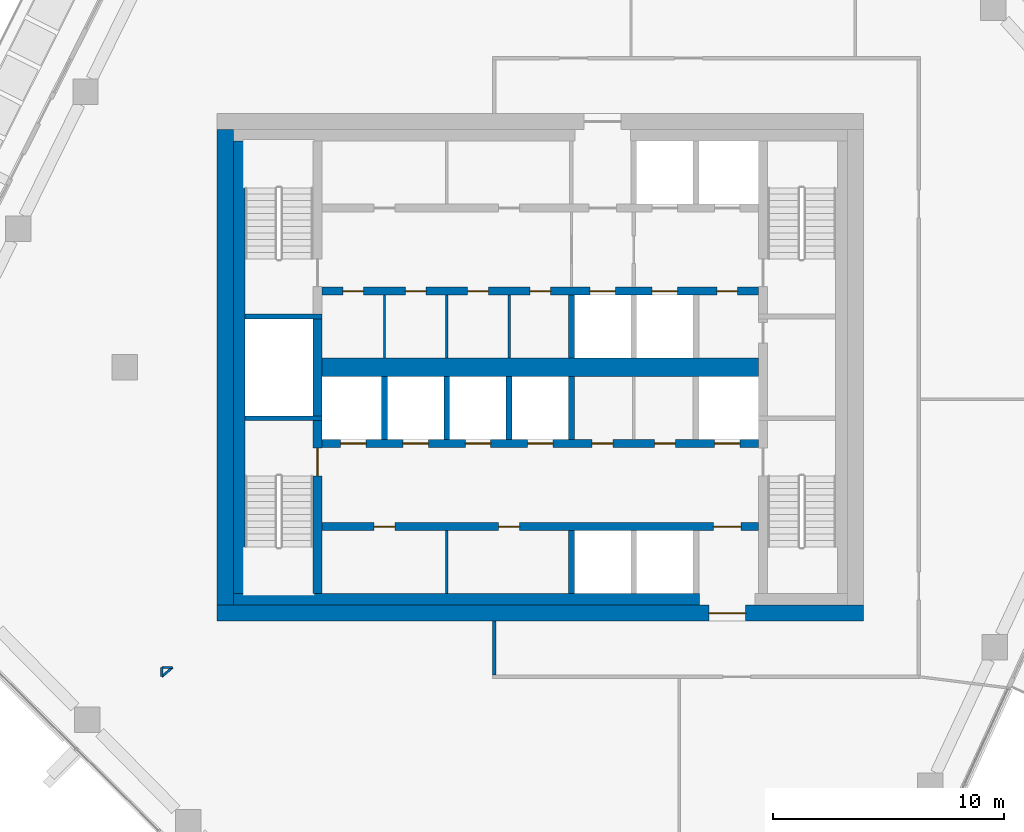
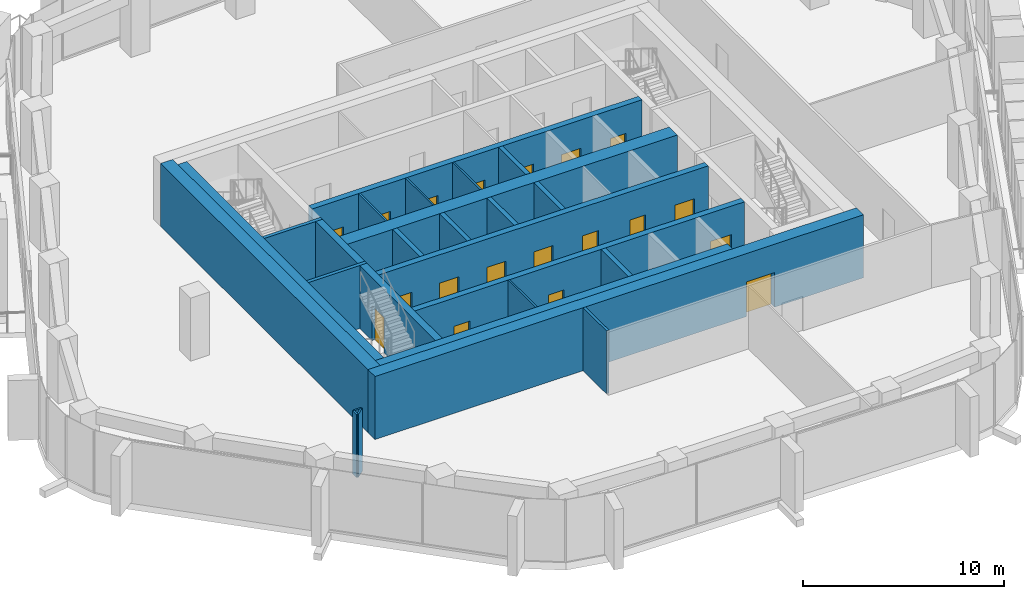
# One storey, part 12 of 22: 26 walls, 19 doors, 19 openings.
"""IFC4 building model written with IfcOpenShell, lengths in metres."""

from ifc_helpers import new_model, si_unit, direction, frame, frame_2d, origin, place, context, subcontext, project, spatial, rectangle, extrude, material, layer, layer_set, type_object, element, fill, save


model = new_model("IFC4")

# Units and contexts
model_context = context("Model", 3, precision=1e-05, world=origin(), true_north=direction((0.0, 1.0)))
body_context = subcontext(model_context, "Body", "Model", "MODEL_VIEW")
ifc_project = project(units=[si_unit("LENGTHUNIT", "METRE"), si_unit("AREAUNIT", "SQUARE_METRE"), si_unit("VOLUMEUNIT", "CUBIC_METRE"), si_unit("PLANEANGLEUNIT", "RADIAN"), si_unit("MASSUNIT", "GRAM", prefix="KILO")], contexts=[model_context])

# Site, building, storey
site_placement = place(None, origin())
site = spatial("IfcSite", under=ifc_project, at=site_placement, CompositionType="ELEMENT")
building_placement = place(site_placement, origin())
building = spatial("IfcBuilding", under=site, at=building_placement, Name="Dongbaek Canopy Tower", CompositionType="ELEMENT")
storey_placement = place(building_placement, frame((0.0, 0.0, 237.0)))
storey = spatial("IfcBuildingStorey", under=building, at=storey_placement, Name="L49", CompositionType="ELEMENT", Elevation=237.0)

# Wall
ifc_material_1 = material(Name="Concrete C60/75", Category="concrete")
ifc_layer_1 = layer(ifc_material_1, 0.800048828125)
ifc_layer_set_1 = layer_set([ifc_layer_1], Name="Core central wall 800 Concrete C60/75")
wall_type_1 = type_object("IfcWallType", Name="Core central wall 800 Concrete C60/75", PredefinedType="SHEAR", material=ifc_layer_set_1)
wall_1_placement = place(storey_placement, frame((-9.449951171875, 0.0, 0.0), z_axis=(0.0, 0.0, 1.0), x_axis=(1.0, 0.0, 0.0)))
element("IfcWall", 1, at=wall_1_placement, inside=storey, type_object=wall_type_1, Name="Core wall", PredefinedType="SHEAR", context=body_context, shape_type="SweptSolid", body=[
    extrude(rectangle(XDim=18.89990234375, YDim=0.800048828125, at=frame_2d((9.449951171875, 0.0))), origin(), (0.0, 0.0, 1.0), 3.820068359375),
])

# Wall, openings, doors
ifc_material_2 = material(Name="Concrete C60/75", Category="concrete")
ifc_layer_2 = layer(ifc_material_2, 0.35009765625)
ifc_layer_set_2 = layer_set([ifc_layer_2], Name="Core lobby wall 350 Concrete C60/75")
wall_type_2 = type_object("IfcWallType", Name="Core lobby wall 350 Concrete C60/75", PredefinedType="SHEAR", material=ifc_layer_set_2)
wall_2_placement = place(storey_placement, frame((9.449951171875, 3.300048828125, 0.0), z_axis=(0.0, 0.0, 1.0), x_axis=(-1.0, 0.0, 0.0)))
wall_2 = element("IfcWall", 2, at=wall_2_placement, inside=storey, type_object=wall_type_2, Name="Core wall", PredefinedType="SHEAR", context=body_context, shape_type="SweptSolid", body=[
    extrude(rectangle(XDim=18.89990234375, YDim=0.35009765625, at=frame_2d((9.449951171875, 0.0))), origin(), (0.0, 0.0, 1.0), 3.820068359375),
])
opening_1_placement = place(wall_2_placement, frame((6.199951171875, 0.0, 0.0)))
opening_1 = element("IfcOpeningElement", 3, at=opening_1_placement, cuts=wall_2, Name="Opening L49-D011", PredefinedType="OPENING", context=body_context, shape_type="SweptSolid", body=[
    extrude(rectangle(XDim=1.10009765625, YDim=2.10009765625, at=frame_2d((0.550048828125, 1.050048828125))), frame((0.0, 0.18505859375, 0.0), z_axis=(0.0, -1.0, 0.0), x_axis=(1.0, 0.0, 0.0)), (0.0, 0.0, 1.0), 0.3701171875),
])
opening_2_placement = place(wall_2_placement, frame((3.5, 0.0, 0.0)))
opening_2 = element("IfcOpeningElement", 4, at=opening_2_placement, cuts=wall_2, Name="Opening L49-D012", PredefinedType="OPENING", context=body_context, shape_type="SweptSolid", body=[
    extrude(rectangle(XDim=1.10009765625, YDim=2.10009765625, at=frame_2d((0.550048828125, 1.050048828125))), frame((0.0, 0.18505859375, 0.0), z_axis=(0.0, -1.0, 0.0), x_axis=(1.0, 0.0, 0.0)), (0.0, 0.0, 1.0), 0.3701171875),
])
opening_3_placement = place(wall_2_placement, frame((0.89990234375, 0.0, 0.0)))
opening_3 = element("IfcOpeningElement", 5, at=opening_3_placement, cuts=wall_2, Name="Opening L49-D013", PredefinedType="OPENING", context=body_context, shape_type="SweptSolid", body=[
    extrude(rectangle(XDim=0.89990234375, YDim=2.10009765625, at=frame_2d((0.449951171875, 1.050048828125))), frame((0.0, 0.18505859375, 0.0), z_axis=(0.0, -1.0, 0.0), x_axis=(1.0, 0.0, 0.0)), (0.0, 0.0, 1.0), 0.3701171875),
])
opening_4_placement = place(wall_2_placement, frame((17.10009765625, 0.0, 0.0)))
opening_4 = element("IfcOpeningElement", 6, at=opening_4_placement, cuts=wall_2, Name="Opening L49-D023", PredefinedType="OPENING", context=body_context, shape_type="SweptSolid", body=[
    extrude(rectangle(XDim=0.89990234375, YDim=2.10009765625, at=frame_2d((0.449951171875, 1.050048828125))), frame((0.0, 0.18505859375, 0.0), z_axis=(0.0, -1.0, 0.0), x_axis=(1.0, 0.0, 0.0)), (0.0, 0.0, 1.0), 0.3701171875),
])
opening_5_placement = place(wall_2_placement, frame((14.39990234375, 0.0, 0.0)))
opening_5 = element("IfcOpeningElement", 7, at=opening_5_placement, cuts=wall_2, Name="Opening L49-D024", PredefinedType="OPENING", context=body_context, shape_type="SweptSolid", body=[
    extrude(rectangle(XDim=0.89990234375, YDim=2.10009765625, at=frame_2d((0.449951171875, 1.050048828125))), frame((0.0, 0.18505859375, 0.0), z_axis=(0.0, -1.0, 0.0), x_axis=(1.0, 0.0, 0.0)), (0.0, 0.0, 1.0), 0.3701171875),
])
opening_6_placement = place(wall_2_placement, frame((11.699951171875, 0.0, 0.0)))
opening_6 = element("IfcOpeningElement", 8, at=opening_6_placement, cuts=wall_2, Name="Opening L49-D025", PredefinedType="OPENING", context=body_context, shape_type="SweptSolid", body=[
    extrude(rectangle(XDim=0.89990234375, YDim=2.10009765625, at=frame_2d((0.449951171875, 1.050048828125))), frame((0.0, 0.18505859375, 0.0), z_axis=(0.0, -1.0, 0.0), x_axis=(1.0, 0.0, 0.0)), (0.0, 0.0, 1.0), 0.3701171875),
])
opening_7_placement = place(wall_2_placement, frame((9.0, 0.0, 0.0)))
opening_7 = element("IfcOpeningElement", 9, at=opening_7_placement, cuts=wall_2, Name="Opening L49-D026", PredefinedType="OPENING", context=body_context, shape_type="SweptSolid", body=[
    extrude(rectangle(XDim=0.89990234375, YDim=2.10009765625, at=frame_2d((0.449951171875, 1.050048828125))), frame((0.0, 0.18505859375, 0.0), z_axis=(0.0, -1.0, 0.0), x_axis=(1.0, 0.0, 0.0)), (0.0, 0.0, 1.0), 0.3701171875),
])
ifc_material_3 = material(Name="Steel", Category="steel")
door_type_1 = type_object("IfcDoorType", Name="Core room door 900 x 2100", OperationType="SINGLE_SWING_LEFT", PredefinedType="DOOR", material=ifc_material_3)
door_1_placement = place(opening_3_placement, origin())
door_1 = element("IfcDoor", 10, at=door_1_placement, inside=storey, type_object=door_type_1, Name="Door L49-D013", OperationType="SINGLE_SWING_LEFT", OverallHeight=2.10009765625, OverallWidth=0.89990234375, PredefinedType="DOOR", context=body_context, shape_type="SweptSolid", body=[
    extrude(rectangle(XDim=0.89990234375, YDim=2.10009765625, at=frame_2d((0.449951171875, 1.050048828125))), frame((0.0, 0.02490234375, 0.0), z_axis=(0.0, -1.0, 0.0), x_axis=(1.0, 0.0, 0.0)), (0.0, 0.0, 1.0), 0.050048828125),
])
fill(opening_3, door_1)
door_2_placement = place(opening_4_placement, origin())
door_2 = element("IfcDoor", 11, at=door_2_placement, inside=storey, type_object=door_type_1, Name="Door L49-D023", OperationType="SINGLE_SWING_RIGHT", OverallHeight=2.10009765625, OverallWidth=0.89990234375, PredefinedType="DOOR", context=body_context, shape_type="SweptSolid", body=[
    extrude(rectangle(XDim=0.89990234375, YDim=2.10009765625, at=frame_2d((0.449951171875, 1.050048828125))), frame((0.0, 0.02490234375, 0.0), z_axis=(0.0, -1.0, 0.0), x_axis=(1.0, 0.0, 0.0)), (0.0, 0.0, 1.0), 0.050048828125),
])
fill(opening_4, door_2)
door_3_placement = place(opening_5_placement, origin())
door_3 = element("IfcDoor", 12, at=door_3_placement, inside=storey, type_object=door_type_1, Name="Door L49-D024", OperationType="SINGLE_SWING_LEFT", OverallHeight=2.10009765625, OverallWidth=0.89990234375, PredefinedType="DOOR", context=body_context, shape_type="SweptSolid", body=[
    extrude(rectangle(XDim=0.89990234375, YDim=2.10009765625, at=frame_2d((0.449951171875, 1.050048828125))), frame((0.0, 0.02490234375, 0.0), z_axis=(0.0, -1.0, 0.0), x_axis=(1.0, 0.0, 0.0)), (0.0, 0.0, 1.0), 0.050048828125),
])
fill(opening_5, door_3)
door_4_placement = place(opening_6_placement, origin())
door_4 = element("IfcDoor", 13, at=door_4_placement, inside=storey, type_object=door_type_1, Name="Door L49-D025", OperationType="SINGLE_SWING_RIGHT", OverallHeight=2.10009765625, OverallWidth=0.89990234375, PredefinedType="DOOR", context=body_context, shape_type="SweptSolid", body=[
    extrude(rectangle(XDim=0.89990234375, YDim=2.10009765625, at=frame_2d((0.449951171875, 1.050048828125))), frame((0.0, 0.02490234375, 0.0), z_axis=(0.0, -1.0, 0.0), x_axis=(1.0, 0.0, 0.0)), (0.0, 0.0, 1.0), 0.050048828125),
])
fill(opening_6, door_4)
door_5_placement = place(opening_7_placement, origin())
door_5 = element("IfcDoor", 14, at=door_5_placement, inside=storey, type_object=door_type_1, Name="Door L49-D026", OperationType="SINGLE_SWING_LEFT", OverallHeight=2.10009765625, OverallWidth=0.89990234375, PredefinedType="DOOR", context=body_context, shape_type="SweptSolid", body=[
    extrude(rectangle(XDim=0.89990234375, YDim=2.10009765625, at=frame_2d((0.449951171875, 1.050048828125))), frame((0.0, 0.02490234375, 0.0), z_axis=(0.0, -1.0, 0.0), x_axis=(1.0, 0.0, 0.0)), (0.0, 0.0, 1.0), 0.050048828125),
])
fill(opening_7, door_5)
ifc_material_4 = material(Name="Stainless steel", Category="steel")
door_type_2 = type_object("IfcDoorType", Name="Lift landing door 1100 x 2100", OperationType="DOUBLE_DOOR_SLIDING", PredefinedType="DOOR", material=ifc_material_4)
door_6_placement = place(opening_1_placement, origin())
door_6 = element("IfcDoor", 15, at=door_6_placement, inside=storey, type_object=door_type_2, Name="Landing door SV1", OperationType="DOUBLE_DOOR_SLIDING", OverallHeight=2.10009765625, OverallWidth=1.10009765625, PredefinedType="DOOR", context=body_context, shape_type="SweptSolid", body=[
    extrude(rectangle(XDim=1.10009765625, YDim=2.10009765625, at=frame_2d((0.550048828125, 1.050048828125))), frame((0.0, 0.02490234375, 0.0), z_axis=(0.0, -1.0, 0.0), x_axis=(1.0, 0.0, 0.0)), (0.0, 0.0, 1.0), 0.050048828125),
])
fill(opening_1, door_6)
door_7_placement = place(opening_2_placement, origin())
door_7 = element("IfcDoor", 16, at=door_7_placement, inside=storey, type_object=door_type_2, Name="Landing door FF3", OperationType="DOUBLE_DOOR_SLIDING", OverallHeight=2.10009765625, OverallWidth=1.10009765625, PredefinedType="DOOR", context=body_context, shape_type="SweptSolid", body=[
    extrude(rectangle(XDim=1.10009765625, YDim=2.10009765625, at=frame_2d((0.550048828125, 1.050048828125))), frame((0.0, 0.02490234375, 0.0), z_axis=(0.0, -1.0, 0.0), x_axis=(1.0, 0.0, 0.0)), (0.0, 0.0, 1.0), 0.050048828125),
])
fill(opening_2, door_7)

wall_3_placement = place(storey_placement, frame((-9.449951171875, -3.300048828125, 0.0), z_axis=(0.0, 0.0, 1.0), x_axis=(1.0, 0.0, 0.0)))
wall_3 = element("IfcWall", 17, at=wall_3_placement, inside=storey, type_object=wall_type_2, Name="Core wall", PredefinedType="SHEAR", context=body_context, shape_type="SweptSolid", body=[
    extrude(rectangle(XDim=18.89990234375, YDim=0.35009765625, at=frame_2d((9.449951171875, 0.0))), origin(), (0.0, 0.0, 1.0), 3.820068359375),
])
opening_8_placement = place(wall_3_placement, frame((0.800048828125, 0.0, 0.0)))
opening_8 = element("IfcOpeningElement", 18, at=opening_8_placement, cuts=wall_3, Name="Opening L49-D014", PredefinedType="OPENING", context=body_context, shape_type="SweptSolid", body=[
    extrude(rectangle(XDim=1.10009765625, YDim=2.10009765625, at=frame_2d((0.550048828125, 1.050048828125))), frame((0.0, 0.18505859375, 0.0), z_axis=(0.0, -1.0, 0.0), x_axis=(1.0, 0.0, 0.0)), (0.0, 0.0, 1.0), 0.3701171875),
])
opening_9_placement = place(wall_3_placement, frame((3.5, 0.0, 0.0)))
opening_9 = element("IfcOpeningElement", 19, at=opening_9_placement, cuts=wall_3, Name="Opening L49-D015", PredefinedType="OPENING", context=body_context, shape_type="SweptSolid", body=[
    extrude(rectangle(XDim=1.10009765625, YDim=2.10009765625, at=frame_2d((0.550048828125, 1.050048828125))), frame((0.0, 0.18505859375, 0.0), z_axis=(0.0, -1.0, 0.0), x_axis=(1.0, 0.0, 0.0)), (0.0, 0.0, 1.0), 0.3701171875),
])
opening_10_placement = place(wall_3_placement, frame((6.199951171875, 0.0, 0.0)))
opening_10 = element("IfcOpeningElement", 20, at=opening_10_placement, cuts=wall_3, Name="Opening L49-D016", PredefinedType="OPENING", context=body_context, shape_type="SweptSolid", body=[
    extrude(rectangle(XDim=1.10009765625, YDim=2.10009765625, at=frame_2d((0.550048828125, 1.050048828125))), frame((0.0, 0.18505859375, 0.0), z_axis=(0.0, -1.0, 0.0), x_axis=(1.0, 0.0, 0.0)), (0.0, 0.0, 1.0), 0.3701171875),
])
opening_11_placement = place(wall_3_placement, frame((8.89990234375, 0.0, 0.0)))
opening_11 = element("IfcOpeningElement", 21, at=opening_11_placement, cuts=wall_3, Name="Opening L49-D017", PredefinedType="OPENING", context=body_context, shape_type="SweptSolid", body=[
    extrude(rectangle(XDim=1.10009765625, YDim=2.10009765625, at=frame_2d((0.550048828125, 1.050048828125))), frame((0.0, 0.18505859375, 0.0), z_axis=(0.0, -1.0, 0.0), x_axis=(1.0, 0.0, 0.0)), (0.0, 0.0, 1.0), 0.3701171875),
])
opening_12_placement = place(wall_3_placement, frame((17.0, 0.0, 0.0)))
opening_12 = element("IfcOpeningElement", 22, at=opening_12_placement, cuts=wall_3, Name="Opening L49-D018", PredefinedType="OPENING", context=body_context, shape_type="SweptSolid", body=[
    extrude(rectangle(XDim=1.10009765625, YDim=2.10009765625, at=frame_2d((0.550048828125, 1.050048828125))), frame((0.0, 0.18505859375, 0.0), z_axis=(0.0, -1.0, 0.0), x_axis=(1.0, 0.0, 0.0)), (0.0, 0.0, 1.0), 0.3701171875),
])
opening_13_placement = place(wall_3_placement, frame((11.699951171875, 0.0, 0.0)))
opening_13 = element("IfcOpeningElement", 23, at=opening_13_placement, cuts=wall_3, Name="Opening L49-D027", PredefinedType="OPENING", context=body_context, shape_type="SweptSolid", body=[
    extrude(rectangle(XDim=0.89990234375, YDim=2.10009765625, at=frame_2d((0.449951171875, 1.050048828125))), frame((0.0, 0.18505859375, 0.0), z_axis=(0.0, -1.0, 0.0), x_axis=(1.0, 0.0, 0.0)), (0.0, 0.0, 1.0), 0.3701171875),
])
opening_14_placement = place(wall_3_placement, frame((14.39990234375, 0.0, 0.0)))
opening_14 = element("IfcOpeningElement", 24, at=opening_14_placement, cuts=wall_3, Name="Opening L49-D028", PredefinedType="OPENING", context=body_context, shape_type="SweptSolid", body=[
    extrude(rectangle(XDim=0.89990234375, YDim=2.10009765625, at=frame_2d((0.449951171875, 1.050048828125))), frame((0.0, 0.18505859375, 0.0), z_axis=(0.0, -1.0, 0.0), x_axis=(1.0, 0.0, 0.0)), (0.0, 0.0, 1.0), 0.3701171875),
])
door_8_placement = place(opening_13_placement, origin())
door_8 = element("IfcDoor", 25, at=door_8_placement, inside=storey, type_object=door_type_1, Name="Door L49-D027", OperationType="SINGLE_SWING_RIGHT", OverallHeight=2.10009765625, OverallWidth=0.89990234375, PredefinedType="DOOR", context=body_context, shape_type="SweptSolid", body=[
    extrude(rectangle(XDim=0.89990234375, YDim=2.10009765625, at=frame_2d((0.449951171875, 1.050048828125))), frame((0.0, 0.02490234375, 0.0), z_axis=(0.0, -1.0, 0.0), x_axis=(1.0, 0.0, 0.0)), (0.0, 0.0, 1.0), 0.050048828125),
])
fill(opening_13, door_8)
door_9_placement = place(opening_14_placement, origin())
door_9 = element("IfcDoor", 26, at=door_9_placement, inside=storey, type_object=door_type_1, Name="Door L49-D028", OperationType="SINGLE_SWING_LEFT", OverallHeight=2.10009765625, OverallWidth=0.89990234375, PredefinedType="DOOR", context=body_context, shape_type="SweptSolid", body=[
    extrude(rectangle(XDim=0.89990234375, YDim=2.10009765625, at=frame_2d((0.449951171875, 1.050048828125))), frame((0.0, 0.02490234375, 0.0), z_axis=(0.0, -1.0, 0.0), x_axis=(1.0, 0.0, 0.0)), (0.0, 0.0, 1.0), 0.050048828125),
])
fill(opening_14, door_9)
door_10_placement = place(opening_8_placement, origin())
door_10 = element("IfcDoor", 27, at=door_10_placement, inside=storey, type_object=door_type_2, Name="Landing door MR1", OperationType="DOUBLE_DOOR_SLIDING", OverallHeight=2.10009765625, OverallWidth=1.10009765625, PredefinedType="DOOR", context=body_context, shape_type="SweptSolid", body=[
    extrude(rectangle(XDim=1.10009765625, YDim=2.10009765625, at=frame_2d((0.550048828125, 1.050048828125))), frame((0.0, 0.02490234375, 0.0), z_axis=(0.0, -1.0, 0.0), x_axis=(1.0, 0.0, 0.0)), (0.0, 0.0, 1.0), 0.050048828125),
])
fill(opening_8, door_10)
door_11_placement = place(opening_9_placement, origin())
door_11 = element("IfcDoor", 28, at=door_11_placement, inside=storey, type_object=door_type_2, Name="Landing door MR2", OperationType="DOUBLE_DOOR_SLIDING", OverallHeight=2.10009765625, OverallWidth=1.10009765625, PredefinedType="DOOR", context=body_context, shape_type="SweptSolid", body=[
    extrude(rectangle(XDim=1.10009765625, YDim=2.10009765625, at=frame_2d((0.550048828125, 1.050048828125))), frame((0.0, 0.02490234375, 0.0), z_axis=(0.0, -1.0, 0.0), x_axis=(1.0, 0.0, 0.0)), (0.0, 0.0, 1.0), 0.050048828125),
])
fill(opening_9, door_11)
door_12_placement = place(opening_10_placement, origin())
door_12 = element("IfcDoor", 29, at=door_12_placement, inside=storey, type_object=door_type_2, Name="Landing door MR3", OperationType="DOUBLE_DOOR_SLIDING", OverallHeight=2.10009765625, OverallWidth=1.10009765625, PredefinedType="DOOR", context=body_context, shape_type="SweptSolid", body=[
    extrude(rectangle(XDim=1.10009765625, YDim=2.10009765625, at=frame_2d((0.550048828125, 1.050048828125))), frame((0.0, 0.02490234375, 0.0), z_axis=(0.0, -1.0, 0.0), x_axis=(1.0, 0.0, 0.0)), (0.0, 0.0, 1.0), 0.050048828125),
])
fill(opening_10, door_12)
door_13_placement = place(opening_11_placement, origin())
door_13 = element("IfcDoor", 30, at=door_13_placement, inside=storey, type_object=door_type_2, Name="Landing door MR4", OperationType="DOUBLE_DOOR_SLIDING", OverallHeight=2.10009765625, OverallWidth=1.10009765625, PredefinedType="DOOR", context=body_context, shape_type="SweptSolid", body=[
    extrude(rectangle(XDim=1.10009765625, YDim=2.10009765625, at=frame_2d((0.550048828125, 1.050048828125))), frame((0.0, 0.02490234375, 0.0), z_axis=(0.0, -1.0, 0.0), x_axis=(1.0, 0.0, 0.0)), (0.0, 0.0, 1.0), 0.050048828125),
])
fill(opening_11, door_13)
door_14_placement = place(opening_12_placement, origin())
door_14 = element("IfcDoor", 31, at=door_14_placement, inside=storey, type_object=door_type_2, Name="Landing door SV2", OperationType="DOUBLE_DOOR_SLIDING", OverallHeight=2.10009765625, OverallWidth=1.10009765625, PredefinedType="DOOR", context=body_context, shape_type="SweptSolid", body=[
    extrude(rectangle(XDim=1.10009765625, YDim=2.10009765625, at=frame_2d((0.550048828125, 1.050048828125))), frame((0.0, 0.02490234375, 0.0), z_axis=(0.0, -1.0, 0.0), x_axis=(1.0, 0.0, 0.0)), (0.0, 0.0, 1.0), 0.050048828125),
])
fill(opening_12, door_14)

wall_4_placement = place(storey_placement, frame((9.449951171875, -6.89990234375, 0.0), z_axis=(0.0, 0.0, 1.0), x_axis=(-1.0, 0.0, 0.0)))
wall_4 = element("IfcWall", 32, at=wall_4_placement, inside=storey, type_object=wall_type_2, Name="Core wall", PredefinedType="SHEAR", context=body_context, shape_type="SweptSolid", body=[
    extrude(rectangle(XDim=18.89990234375, YDim=0.35009765625, at=frame_2d((9.449951171875, 0.0))), origin(), (0.0, 0.0, 1.0), 3.820068359375),
])
opening_15_placement = place(wall_4_placement, frame((0.75, 0.0, 0.0)))
opening_15 = element("IfcOpeningElement", 33, at=opening_15_placement, cuts=wall_4, Name="Opening L49-D020", PredefinedType="OPENING", context=body_context, shape_type="SweptSolid", body=[
    extrude(rectangle(XDim=1.199951171875, YDim=2.10009765625, at=frame_2d((0.60009765625, 1.050048828125))), frame((0.0, 0.18505859375, 0.0), z_axis=(0.0, -1.0, 0.0), x_axis=(1.0, 0.0, 0.0)), (0.0, 0.0, 1.0), 0.3701171875),
])
opening_16_placement = place(wall_4_placement, frame((15.75, 0.0, 0.0)))
opening_16 = element("IfcOpeningElement", 34, at=opening_16_placement, cuts=wall_4, Name="Opening L49-D029", PredefinedType="OPENING", context=body_context, shape_type="SweptSolid", body=[
    extrude(rectangle(XDim=0.89990234375, YDim=2.10009765625, at=frame_2d((0.449951171875, 1.050048828125))), frame((0.0, 0.18505859375, 0.0), z_axis=(0.0, -1.0, 0.0), x_axis=(1.0, 0.0, 0.0)), (0.0, 0.0, 1.0), 0.3701171875),
])
opening_17_placement = place(wall_4_placement, frame((10.35009765625, 0.0, 0.0)))
opening_17 = element("IfcOpeningElement", 35, at=opening_17_placement, cuts=wall_4, Name="Opening L49-D030", PredefinedType="OPENING", context=body_context, shape_type="SweptSolid", body=[
    extrude(rectangle(XDim=0.89990234375, YDim=2.10009765625, at=frame_2d((0.449951171875, 1.050048828125))), frame((0.0, 0.18505859375, 0.0), z_axis=(0.0, -1.0, 0.0), x_axis=(1.0, 0.0, 0.0)), (0.0, 0.0, 1.0), 0.3701171875),
])
door_15_placement = place(opening_16_placement, origin())
door_15 = element("IfcDoor", 36, at=door_15_placement, inside=storey, type_object=door_type_1, Name="Door L49-D029", OperationType="SINGLE_SWING_RIGHT", OverallHeight=2.10009765625, OverallWidth=0.89990234375, PredefinedType="DOOR", context=body_context, shape_type="SweptSolid", body=[
    extrude(rectangle(XDim=0.89990234375, YDim=2.10009765625, at=frame_2d((0.449951171875, 1.050048828125))), frame((0.0, 0.02490234375, 0.0), z_axis=(0.0, -1.0, 0.0), x_axis=(1.0, 0.0, 0.0)), (0.0, 0.0, 1.0), 0.050048828125),
])
fill(opening_16, door_15)
door_16_placement = place(opening_17_placement, origin())
door_16 = element("IfcDoor", 37, at=door_16_placement, inside=storey, type_object=door_type_1, Name="Door L49-D030", OperationType="SINGLE_SWING_LEFT", OverallHeight=2.10009765625, OverallWidth=0.89990234375, PredefinedType="DOOR", context=body_context, shape_type="SweptSolid", body=[
    extrude(rectangle(XDim=0.89990234375, YDim=2.10009765625, at=frame_2d((0.449951171875, 1.050048828125))), frame((0.0, 0.02490234375, 0.0), z_axis=(0.0, -1.0, 0.0), x_axis=(1.0, 0.0, 0.0)), (0.0, 0.0, 1.0), 0.050048828125),
])
fill(opening_17, door_16)
ifc_material_5 = material(Name="Steel", Category="steel")
door_type_3 = type_object("IfcDoorType", Name="Fire lobby door 1200 x 2100", OperationType="SINGLE_SWING_LEFT", PredefinedType="DOOR", material=ifc_material_5)
door_17_placement = place(opening_15_placement, origin())
door_17 = element("IfcDoor", 38, at=door_17_placement, inside=storey, type_object=door_type_3, Name="Door L49-D020", OperationType="SINGLE_SWING_LEFT", OverallHeight=2.10009765625, OverallWidth=1.199951171875, PredefinedType="DOOR", context=body_context, shape_type="SweptSolid", body=[
    extrude(rectangle(XDim=1.199951171875, YDim=2.10009765625, at=frame_2d((0.60009765625, 1.050048828125))), frame((0.0, 0.02490234375, 0.0), z_axis=(0.0, -1.0, 0.0), x_axis=(1.0, 0.0, 0.0)), (0.0, 0.0, 1.0), 0.050048828125),
])
fill(opening_15, door_17)

# Wall, opening, door
ifc_material_6 = material(Name="Concrete C70/85", Category="concrete")
ifc_layer_3 = layer(ifc_material_6, 0.699951171875)
ifc_layer_set_3 = layer_set([ifc_layer_3], Name="Core outer wall 700 Concrete C70/85")
wall_type_3 = type_object("IfcWallType", Name="Core outer wall 700 Concrete C70/85", PredefinedType="SHEAR", material=ifc_layer_set_3)
wall_5_placement = place(storey_placement, frame((14.0, -10.64990234375, 0.0), z_axis=(0.0, 0.0, 1.0), x_axis=(-1.0, 0.0, 0.0)))
wall_5 = element("IfcWall", 39, at=wall_5_placement, inside=storey, type_object=wall_type_3, Name="Core wall", PredefinedType="SHEAR", context=body_context, shape_type="SweptSolid", body=[
    extrude(rectangle(XDim=28.0, YDim=0.699951171875, at=frame_2d((14.0, 0.0))), origin(), (0.0, 0.0, 1.0), 3.820068359375),
])
opening_18_placement = place(wall_5_placement, frame((5.10009765625, 0.0, 0.0)))
opening_18 = element("IfcOpeningElement", 40, at=opening_18_placement, cuts=wall_5, Name="Opening L49-D019", PredefinedType="OPENING", context=body_context, shape_type="SweptSolid", body=[
    extrude(rectangle(XDim=1.60009765625, YDim=2.10009765625, at=frame_2d((0.800048828125, 1.050048828125))), frame((0.0, 0.35986328125, 0.0), z_axis=(0.0, -1.0, 0.0), x_axis=(1.0, 0.0, 0.0)), (0.0, 0.0, 1.0), 0.719970703125),
])
ifc_material_7 = material(Name="Steel", Category="steel")
door_type_4 = type_object("IfcDoorType", Name="Core exit door 1600 x 2100", OperationType="DOUBLE_DOOR_SINGLE_SWING", PredefinedType="DOOR", material=ifc_material_7)
door_18_placement = place(opening_18_placement, origin())
door_18 = element("IfcDoor", 41, at=door_18_placement, inside=storey, type_object=door_type_4, Name="Core exit door", OperationType="DOUBLE_DOOR_SINGLE_SWING", OverallHeight=2.10009765625, OverallWidth=1.60009765625, PredefinedType="DOOR", context=body_context, shape_type="SweptSolid", body=[
    extrude(rectangle(XDim=1.60009765625, YDim=2.10009765625, at=frame_2d((0.800048828125, 1.050048828125))), frame((0.0, 0.02490234375, 0.0), z_axis=(0.0, -1.0, 0.0), x_axis=(1.0, 0.0, 0.0)), (0.0, 0.0, 1.0), 0.050048828125),
])
fill(opening_18, door_18)

# Walls
wall_6_placement = place(storey_placement, frame((-13.64990234375, -10.300048828125, 0.0), z_axis=(0.0, 0.0, 1.0), x_axis=(0.0, 1.0, 0.0)))
element("IfcWall", 42, at=wall_6_placement, inside=storey, type_object=wall_type_3, Name="Core wall", PredefinedType="SHEAR", context=body_context, shape_type="SweptSolid", body=[
    extrude(rectangle(XDim=20.60009765625, YDim=0.699951171875, at=frame_2d((10.300048828125, 0.0))), origin(), (0.0, 0.0, 1.0), 3.820068359375),
])
ifc_material_8 = material(Name="Concrete C60/75", Category="concrete")
ifc_layer_4 = layer(ifc_material_8, 0.5)
ifc_layer_set_4 = layer_set([ifc_layer_4], Name="Core wall lining 500 Concrete C60/75")
wall_type_4 = type_object("IfcWallType", Name="Core wall lining 500 Concrete C60/75", PredefinedType="SHEAR", material=ifc_layer_set_4)
wall_7_placement = place(storey_placement, frame((6.89990234375, -10.050048828125, 0.0), z_axis=(0.0, 0.0, 1.0), x_axis=(-1.0, 0.0, 0.0)))
element("IfcWall", 43, at=wall_7_placement, inside=storey, type_object=wall_type_4, Name="Core wall lining", PredefinedType="SHEAR", context=body_context, shape_type="SweptSolid", body=[
    extrude(rectangle(XDim=20.199951171875, YDim=0.5, at=frame_2d((10.10009765625, 0.0))), origin(), (0.0, 0.0, 1.0), 3.820068359375),
])
wall_8_placement = place(storey_placement, frame((-13.050048828125, -9.800048828125, 0.0), z_axis=(0.0, 0.0, 1.0), x_axis=(0.0, 1.0, 0.0)))
element("IfcWall", 44, at=wall_8_placement, inside=storey, type_object=wall_type_4, Name="Core wall lining", PredefinedType="SHEAR", context=body_context, shape_type="SweptSolid", body=[
    extrude(rectangle(XDim=19.60009765625, YDim=0.5, at=frame_2d((9.800048828125, 0.0))), origin(), (0.0, 0.0, 1.0), 3.820068359375),
])
ifc_material_9 = material(Name="Gypsum board partition, steel stud, 2 x 15 mm fire board", Category="steel")
ifc_layer_5 = layer(ifc_material_9, 0.14990234375)
ifc_layer_set_5 = layer_set([ifc_layer_5], Name="Fire-rated partition 150 gypsum board")
wall_type_5 = type_object("IfcWallType", Name="Fire-rated partition 150 gypsum board", PredefinedType="PARTITIONING", material=ifc_layer_set_5)
wall_9_placement = place(storey_placement, frame((-2.0, -13.324951171875, 0.0), z_axis=(0.0, 0.0, 1.0), x_axis=(0.0, 1.0, 0.0)))
element("IfcWall", 45, at=wall_9_placement, inside=storey, type_object=wall_type_5, Name="Corridor partition", PredefinedType="PARTITIONING", context=body_context, shape_type="SweptSolid", body=[
    extrude(rectangle(XDim=2.324951171875, YDim=0.14990234375, at=frame_2d((1.16259765625, 0.0))), origin(), (0.0, 0.0, 1.0), 3.820068359375),
])
ifc_material_10 = material(Name="Concrete C40/50", Category="concrete")
ifc_layer_6 = layer(ifc_material_10, 0.25)
ifc_layer_set_6 = layer_set([ifc_layer_6], Name="Lift shaft wall 250 Concrete C40/50")
wall_type_6 = type_object("IfcWallType", Name="Lift shaft wall 250 Concrete C40/50", PredefinedType="SOLIDWALL", material=ifc_layer_set_6)
for number, where, z_axis, x_axis, name in (
    (46, (1.35009765625, -9.800048828125, 0.0), (0.0, 0.0, 1.0), (0.0, 1.0, 0.0), "Lift shaft wall"),
    (47, (1.35009765625, -3.125, 0.0), (0.0, 0.0, 1.0), (0.0, 1.0, 0.0), "Lift shaft wall"),
    (48, (1.35009765625, 0.39990234375, 0.0), (0.0, 0.0, 1.0), (0.0, 1.0, 0.0), "Lift shaft wall"),
    (49, (-1.35009765625, -3.125, 0.0), (0.0, 0.0, 1.0), (0.0, 1.0, 0.0), "Lift shaft wall"),
    (50, (-4.050048828125, -3.125, 0.0), (0.0, 0.0, 1.0), (0.0, 1.0, 0.0), "Lift shaft wall"),
    (51, (-6.75, -3.125, 0.0), (0.0, 0.0, 1.0), (0.0, 1.0, 0.0), "Lift shaft wall"),
):
    element("IfcWall", number, at=place(storey_placement, frame(where, z_axis=z_axis, x_axis=x_axis)), inside=storey, type_object=wall_type_6, Name=name, PredefinedType="SOLIDWALL", context=body_context, shape_type="SweptSolid", body=[
        extrude(rectangle(XDim=2.72509765625, YDim=0.25, at=frame_2d((1.362548828125, 0.0))), origin(), (0.0, 0.0, 1.0), 3.820068359375),
    ])
ifc_material_11 = material(Name="Gypsum board partition, steel stud, 2 x 12.5 mm board", Category="steel")
ifc_layer_7 = layer(ifc_material_11, 0.10009765625)
ifc_layer_set_7 = layer_set([ifc_layer_7], Name="Partition 100 gypsum board")
wall_type_7 = type_object("IfcWallType", Name="Partition 100 gypsum board", PredefinedType="PARTITIONING", material=ifc_layer_set_7)
wall_10_placement = place(storey_placement, frame((-16.392578125, -13.001953125, 0.0), z_axis=(0.0, 0.0, 1.0), x_axis=(1.0, 0.0, 0.0)))
element("IfcWall", 52, at=wall_10_placement, inside=storey, type_object=wall_type_7, Name="Partition", PredefinedType="PARTITIONING", context=body_context, shape_type="SweptSolid", body=[
    extrude(rectangle(XDim=0.461181640625, YDim=0.10009765625, at=frame_2d((0.23046875, 0.0))), origin(), (0.0, 0.0, 1.0), 3.820068359375),
])
wall_11_placement = place(storey_placement, frame((-16.399658203125, -13.400390625, 0.0), z_axis=(0.0, 0.0, 1.0), x_axis=(0.761939317759, 0.647648420096, 0.0)))
element("IfcWall", 53, at=wall_11_placement, inside=storey, type_object=wall_type_7, Name="Partition", PredefinedType="PARTITIONING", context=body_context, shape_type="SweptSolid", body=[
    extrude(rectangle(XDim=0.615234375, YDim=0.10009765625, at=frame_2d((0.3076171875, 0.0))), origin(), (0.0, 0.0, 1.0), 3.820068359375),
])
wall_12_placement = place(storey_placement, frame((-16.400146484375, -13.39990234375, 0.0), z_axis=(0.0, 0.0, 1.0), x_axis=(0.01899167212, 0.999819641931, 0.0)))
element("IfcWall", 54, at=wall_12_placement, inside=storey, type_object=wall_type_7, Name="Partition", PredefinedType="PARTITIONING", context=body_context, shape_type="SweptSolid", body=[
    extrude(rectangle(XDim=0.3984375, YDim=0.10009765625, at=frame_2d((0.19921875, 0.0))), origin(), (0.0, 0.0, 1.0), 3.820068359375),
])
for number, where, z_axis, x_axis, name in (
    (55, (-1.35009765625, 0.39990234375, 0.0), (0.0, 0.0, 1.0), (0.0, 1.0, 0.0), "Core partition"),
    (56, (-4.050048828125, -9.800048828125, 0.0), (0.0, 0.0, 1.0), (0.0, 1.0, 0.0), "Core partition"),
    (57, (-4.050048828125, 0.39990234375, 0.0), (0.0, 0.0, 1.0), (0.0, 1.0, 0.0), "Core partition"),
    (58, (-6.75, 0.39990234375, 0.0), (0.0, 0.0, 1.0), (0.0, 1.0, 0.0), "Core partition"),
):
    element("IfcWall", number, at=place(storey_placement, frame(where, z_axis=z_axis, x_axis=x_axis)), inside=storey, type_object=wall_type_7, Name=name, PredefinedType="PARTITIONING", context=body_context, shape_type="SweptSolid", body=[
        extrude(rectangle(XDim=2.72509765625, YDim=0.10009765625, at=frame_2d((1.362548828125, 0.0))), origin(), (0.0, 0.0, 1.0), 3.820068359375),
    ])
ifc_material_12 = material(Name="Concrete C60/75", Category="concrete")
ifc_layer_8 = layer(ifc_material_12, 0.199951171875)
ifc_layer_set_8 = layer_set([ifc_layer_8], Name="Riser wall 200 Concrete C60/75")
wall_type_8 = type_object("IfcWallType", Name="Riser wall 200 Concrete C60/75", PredefinedType="SHEAR", material=ifc_layer_set_8)
for number, where, z_axis, x_axis, name in (
    (59, (-9.449951171875, 2.199951171875, 0.0), (0.0, 0.0, 1.0), (-1.0, 0.0, 0.0), "Riser wall"),
    (60, (-9.449951171875, -2.199951171875, 0.0), (0.0, 0.0, 1.0), (-1.0, 0.0, 0.0), "Riser wall"),
):
    element("IfcWall", number, at=place(storey_placement, frame(where, z_axis=z_axis, x_axis=x_axis)), inside=storey, type_object=wall_type_8, Name=name, PredefinedType="SHEAR", context=body_context, shape_type="SweptSolid", body=[
        extrude(rectangle(XDim=3.35009765625, YDim=0.199951171875, at=frame_2d((1.675048828125, 0.0))), origin(), (0.0, 0.0, 1.0), 3.820068359375),
    ])

# Wall, opening, door
ifc_material_13 = material(Name="Concrete C60/75", Category="concrete")
ifc_layer_9 = layer(ifc_material_13, 0.39990234375)
ifc_layer_set_9 = layer_set([ifc_layer_9], Name="Stair wall 400 Concrete C60/75")
wall_type_9 = type_object("IfcWallType", Name="Stair wall 400 Concrete C60/75", PredefinedType="SHEAR", material=ifc_layer_set_9)
wall_13_placement = place(storey_placement, frame((-9.64990234375, -9.800048828125, 0.0), z_axis=(0.0, 0.0, 1.0), x_axis=(0.0, 1.0, 0.0)))
wall_13 = element("IfcWall", 61, at=wall_13_placement, inside=storey, type_object=wall_type_9, Name="Stair wall", PredefinedType="SHEAR", context=body_context, shape_type="SweptSolid", body=[
    extrude(rectangle(XDim=7.5, YDim=0.39990234375, at=frame_2d((3.75, 0.0))), origin(), (0.0, 0.0, 1.0), 3.820068359375),
])
opening_19_placement = place(wall_13_placement, frame((5.10009765625, 0.0, 0.0)))
opening_19 = element("IfcOpeningElement", 62, at=opening_19_placement, cuts=wall_13, Name="Opening L49-D034", PredefinedType="OPENING", context=body_context, shape_type="SweptSolid", body=[
    extrude(rectangle(XDim=1.199951171875, YDim=2.10009765625, at=frame_2d((0.60009765625, 1.050048828125))), frame((0.0, 0.2099609375, 0.0), z_axis=(0.0, -1.0, 0.0), x_axis=(1.0, 0.0, 0.0)), (0.0, 0.0, 1.0), 0.419921875),
])
ifc_material_14 = material(Name="Steel", Category="steel")
door_type_5 = type_object("IfcDoorType", Name="Stair door 1200 x 2100", OperationType="SINGLE_SWING_LEFT", PredefinedType="DOOR", material=ifc_material_14)
door_19_placement = place(opening_19_placement, origin())
door_19 = element("IfcDoor", 63, at=door_19_placement, inside=storey, type_object=door_type_5, Name="Stair D door", OperationType="SINGLE_SWING_LEFT", OverallHeight=2.10009765625, OverallWidth=1.199951171875, PredefinedType="DOOR", context=body_context, shape_type="SweptSolid", body=[
    extrude(rectangle(XDim=1.199951171875, YDim=2.10009765625, at=frame_2d((0.60009765625, 1.050048828125))), frame((0.0, 0.02490234375, 0.0), z_axis=(0.0, -1.0, 0.0), x_axis=(1.0, 0.0, 0.0)), (0.0, 0.0, 1.0), 0.050048828125),
])
fill(opening_19, door_19)

# Wall
wall_14_placement = place(storey_placement, frame((-9.64990234375, -2.10009765625, 0.0), z_axis=(0.0, 0.0, 1.0), x_axis=(0.0, 1.0, 0.0)))
element("IfcWall", 64, at=wall_14_placement, inside=storey, type_object=wall_type_9, Name="Stair wall", PredefinedType="SHEAR", context=body_context, shape_type="SweptSolid", body=[
    extrude(rectangle(XDim=4.2001953125, YDim=0.39990234375, at=frame_2d((2.10009765625, 0.0))), origin(), (0.0, 0.0, 1.0), 3.820068359375),
])

save(model, "model.ifc")
